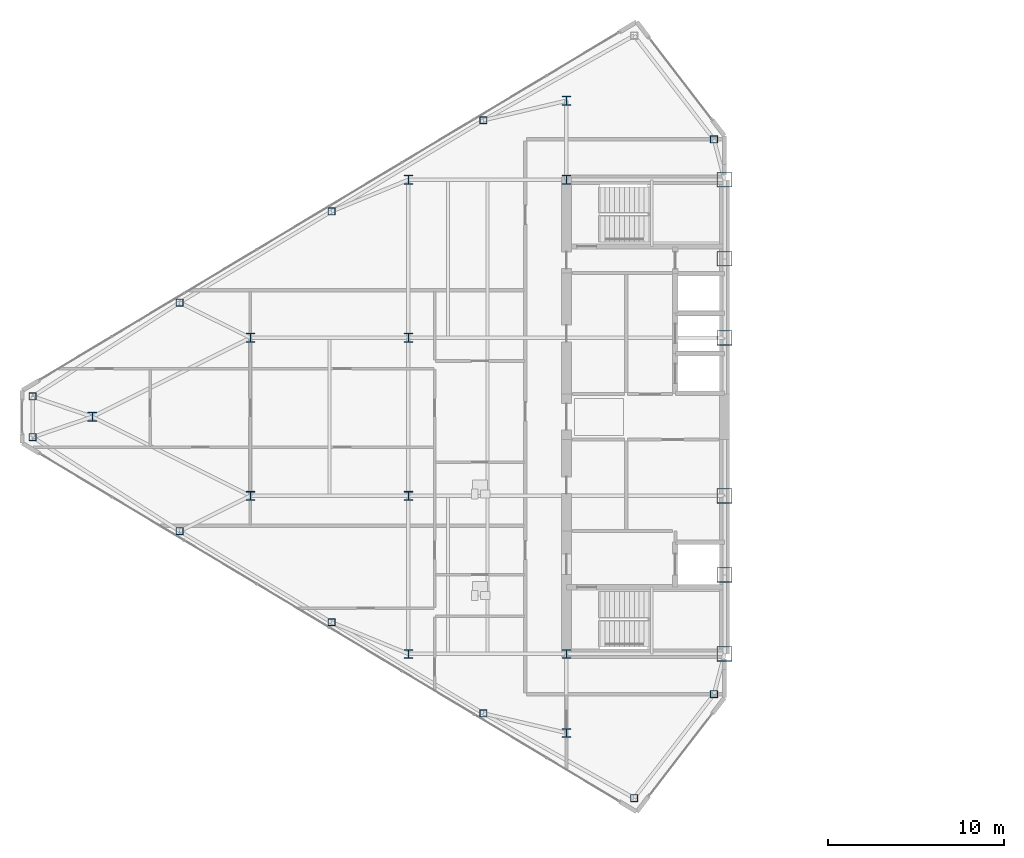
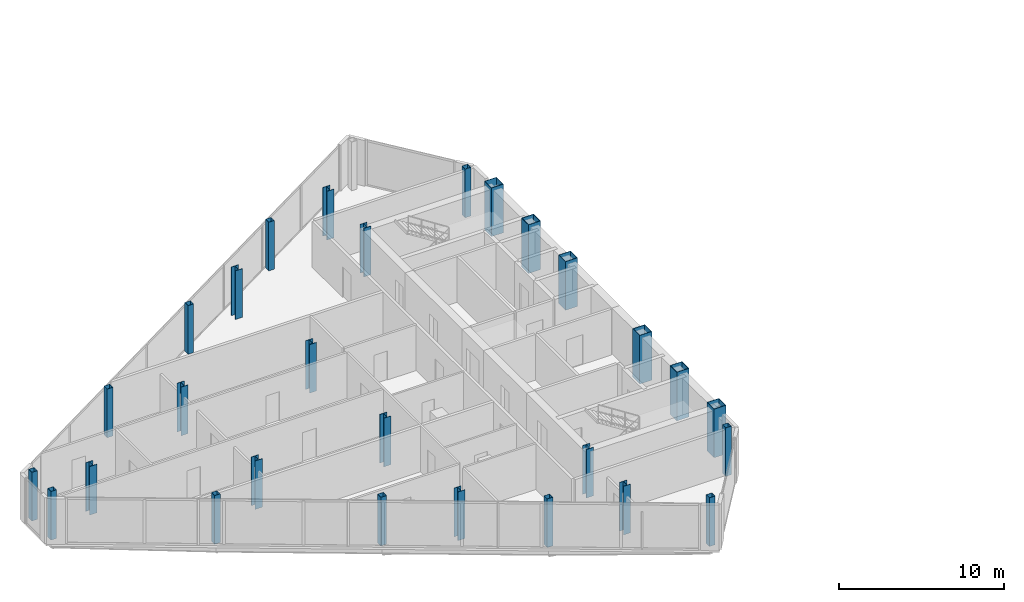
# One storey, part 1 of 26: 28 columns.
"""IFC4 building model written with IfcOpenShell, lengths in metres."""

from ifc_helpers import new_model, si_unit, direction, frame, origin, origin_2d, place, context, subcontext, project, spatial, hollow_rectangle, i_section, extrude, source, transform, mapped, material, material_profile, profile_set, type_object, type_shapes, element, save


model = new_model("IFC4")

# Units and contexts
model_context = context("Model", 3, precision=1e-05, world=origin(), true_north=direction((0.0, 1.0)))
body_context = subcontext(model_context, "Body", "Model", "MODEL_VIEW")
ifc_project = project(units=[si_unit("LENGTHUNIT", "METRE"), si_unit("AREAUNIT", "SQUARE_METRE"), si_unit("VOLUMEUNIT", "CUBIC_METRE"), si_unit("PLANEANGLEUNIT", "RADIAN"), si_unit("MASSUNIT", "GRAM", prefix="KILO")], contexts=[model_context])

# Site, building, storey
site_placement = place(None, origin())
site = spatial("IfcSite", under=ifc_project, at=site_placement, CompositionType="ELEMENT")
building_placement = place(site_placement, origin())
building = spatial("IfcBuilding", under=site, at=building_placement, Name="Seokmaru Belvedere", CompositionType="ELEMENT")
storey_placement = place(building_placement, frame((0.0, 0.0, 199.5)))
storey = spatial("IfcBuildingStorey", under=building, at=storey_placement, Name="L53", CompositionType="ELEMENT", Elevation=199.5)

# Columns
ifc_material_1 = material(Name="Steel HSA650 (650 MPa)", Category="steel")
ifc_material_profile_1 = material_profile(ifc_material_1, hollow_rectangle(XDim=0.85009765625, YDim=0.85009765625, WallThickness=0.035888671875, at=origin_2d()), Name="BOX-850x850x36")
ifc_profile_set_1 = profile_set([ifc_material_profile_1], Name="Steel HSA650 (650 MPa)")
column_type_1 = type_object("IfcColumnType", Name="Portal Spine Column BOX-850", PredefinedType="COLUMN", material=ifc_profile_set_1)
shared_shape_1 = source(origin(), body_context, "Body", "SweptSolid", [
    extrude(hollow_rectangle(XDim=0.85009765625, YDim=0.85009765625, WallThickness=0.035888671875, at=origin_2d()), origin(), (0.0, 0.0, 1.0), 3.60009765625),
])
type_shapes(column_type_1, [shared_shape_1])
for number, where, z_axis, x_axis, name in (
    (1, (-27.5, -13.5, 0.0), (0.0, 0.0, 1.0), (1.0, 0.0, 0.0), "L53 Column WS1"),
    (2, (-27.5, -9.0, 0.0), (0.0, 0.0, 1.0), (1.0, 0.0, 0.0), "L53 Column WS2"),
    (3, (-27.5, -4.5, 0.0), (0.0, 0.0, 1.0), (1.0, 0.0, 0.0), "L53 Column WS3"),
    (4, (-27.5, 4.5, 0.0), (0.0, 0.0, 1.0), (1.0, 0.0, 0.0), "L53 Column WS4"),
    (5, (-27.5, 9.0, 0.0), (0.0, 0.0, 1.0), (1.0, 0.0, 0.0), "L53 Column WS5"),
    (6, (-27.5, 13.5, 0.0), (0.0, 0.0, 1.0), (1.0, 0.0, 0.0), "L53 Column WS6"),
):
    element("IfcColumn", number, at=place(storey_placement, frame(where, z_axis=z_axis, x_axis=x_axis)), inside=storey, type_object=column_type_1, Name=name, PredefinedType="COLUMN", context=body_context, shape_type="MappedRepresentation", body=[
        mapped(shared_shape_1, transform((0.0, 0.0, 0.0), scale=1.0)),
    ])
ifc_material_2 = material(Name="Steel SM355 (355 MPa)", Category="steel")
ifc_material_profile_2 = material_profile(ifc_material_2, i_section(OverallWidth=0.5, OverallDepth=0.5, WebThickness=0.02001953125, FlangeThickness=0.031982421875, at=origin_2d()), Name="H-500x500x20x32")
ifc_profile_set_2 = profile_set([ifc_material_profile_2], Name="Steel SM355 (355 MPa)")
column_type_2 = type_object("IfcColumnType", Name="High-Rise Interior Column H-500", PredefinedType="COLUMN", material=ifc_profile_set_2)
shared_shape_2 = source(origin(), body_context, "Body", "SweptSolid", [
    extrude(i_section(OverallWidth=0.5, OverallDepth=0.5, WebThickness=0.02001953125, FlangeThickness=0.031982421875, at=origin_2d()), origin(), (0.0, 0.0, 1.0), 3.60009765625),
])
type_shapes(column_type_2, [shared_shape_2])
for number, where, z_axis, x_axis, name in (
    (7, (-36.5, -18.0, 0.0), (0.0, 0.0, 1.0), (1.0, 0.0, 0.0), "L53 Column WC1"),
    (8, (-36.5, -13.5, 0.0), (0.0, 0.0, 1.0), (1.0, 0.0, 0.0), "L53 Column WC2"),
    (9, (-36.5, 13.5, 0.0), (0.0, 0.0, 1.0), (1.0, 0.0, 0.0), "L53 Column WC3"),
    (10, (-36.5, 18.0, 0.0), (0.0, 0.0, 1.0), (1.0, 0.0, 0.0), "L53 Column WC4"),
    (11, (-45.5, -13.5, 0.0), (0.0, 0.0, 1.0), (1.0, 0.0, 0.0), "L53 Column WG5_1"),
    (12, (-45.5, -4.5, 0.0), (0.0, 0.0, 1.0), (1.0, 0.0, 0.0), "L53 Column WG5_2"),
    (13, (-45.5, 4.5, 0.0), (0.0, 0.0, 1.0), (1.0, 0.0, 0.0), "L53 Column WG5_3"),
    (14, (-45.5, 13.5, 0.0), (0.0, 0.0, 1.0), (1.0, 0.0, 0.0), "L53 Column WG5_4"),
    (15, (-54.5, -4.5, 0.0), (0.0, 0.0, 1.0), (1.0, 0.0, 0.0), "L53 Column WG4P_1"),
    (16, (-54.5, 4.5, 0.0), (0.0, 0.0, 1.0), (1.0, 0.0, 0.0), "L53 Column WG4P_2"),
    (17, (-63.5, 0.0, 0.0), (0.0, 0.0, 1.0), (1.0, 0.0, 0.0), "L53 Column WG3P_1"),
):
    element("IfcColumn", number, at=place(storey_placement, frame(where, z_axis=z_axis, x_axis=x_axis)), inside=storey, type_object=column_type_2, Name=name, PredefinedType="COLUMN", context=body_context, shape_type="MappedRepresentation", body=[
        mapped(shared_shape_2, transform((0.0, 0.0, 0.0), scale=1.0)),
    ])
ifc_material_profile_3 = material_profile(ifc_material_2, hollow_rectangle(XDim=0.39990234375, YDim=0.39990234375, WallThickness=0.01611328125, at=origin_2d()), Name="HSS-400x400x16")
ifc_profile_set_3 = profile_set([ifc_material_profile_3], Name="Steel SM355 (355 MPa)")
column_type_3 = type_object("IfcColumnType", Name="Perimeter Facet Column HSS-400", PredefinedType="COLUMN", material=ifc_profile_set_3)
shared_shape_3 = source(origin(), body_context, "Body", "SweptSolid", [
    extrude(hollow_rectangle(XDim=0.39990234375, YDim=0.39990234375, WallThickness=0.01611328125, at=origin_2d()), origin(), (0.0, 0.0, 1.0), 3.60009765625),
])
type_shapes(column_type_3, [shared_shape_3])
for number, where, z_axis, x_axis, name in (
    (18, (-28.10009765625, -15.7958984375, 0.0), (0.0, 0.0, 1.0), (1.0, 0.0, 0.0), "L53 Column WF1"),
    (19, (-28.10009765625, 15.7958984375, 0.0), (0.0, 0.0, 1.0), (1.0, 0.0, 0.0), "L53 Column WF2"),
    (20, (-66.89990234375, 1.160400390625, 0.0), (0.0, 0.0, 1.0), (1.0, 0.0, 0.0), "L53 Column WF4"),
    (21, (-66.89990234375, -1.160400390625, 0.0), (0.0, 0.0, 1.0), (1.0, 0.0, 0.0), "L53 Column WF5"),
    (22, (-32.649658203125, -21.71044921875, 0.0), (0.0, 0.0, 1.0), (1.0, 0.0, 0.0), "L53 Column WF6"),
    (23, (-41.229736328125, -16.888916015625, 0.0), (0.0, 0.0, 1.0), (1.0, 0.0, 0.0), "L53 Column WFLK_S1"),
    (24, (-49.8798828125, -11.698974609375, 0.0), (0.0, 0.0, 1.0), (1.0, 0.0, 0.0), "L53 Column WFLK_S2"),
    (25, (-58.530029296875, -6.5087890625, 0.0), (0.0, 0.0, 1.0), (1.0, 0.0, 0.0), "L53 Column WFLK_S3"),
    (26, (-41.229736328125, 16.888916015625, 0.0), (0.0, 0.0, 1.0), (1.0, 0.0, 0.0), "L53 Column WFLK_N1"),
    (27, (-49.8798828125, 11.698974609375, 0.0), (0.0, 0.0, 1.0), (1.0, 0.0, 0.0), "L53 Column WFLK_N2"),
    (28, (-58.530029296875, 6.5087890625, 0.0), (0.0, 0.0, 1.0), (1.0, 0.0, 0.0), "L53 Column WFLK_N3"),
):
    element("IfcColumn", number, at=place(storey_placement, frame(where, z_axis=z_axis, x_axis=x_axis)), inside=storey, type_object=column_type_3, Name=name, PredefinedType="COLUMN", context=body_context, shape_type="MappedRepresentation", body=[
        mapped(shared_shape_3, transform((0.0, 0.0, 0.0), scale=1.0)),
    ])

save(model, "model.ifc")
